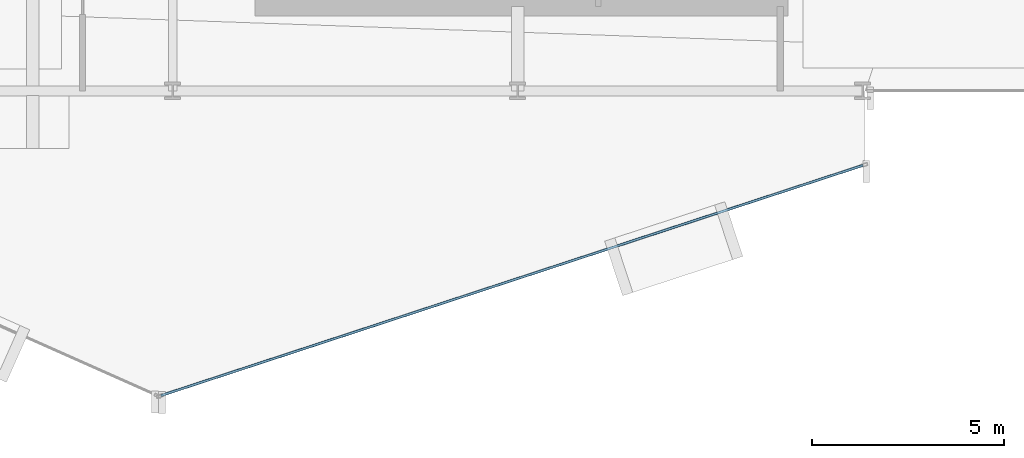
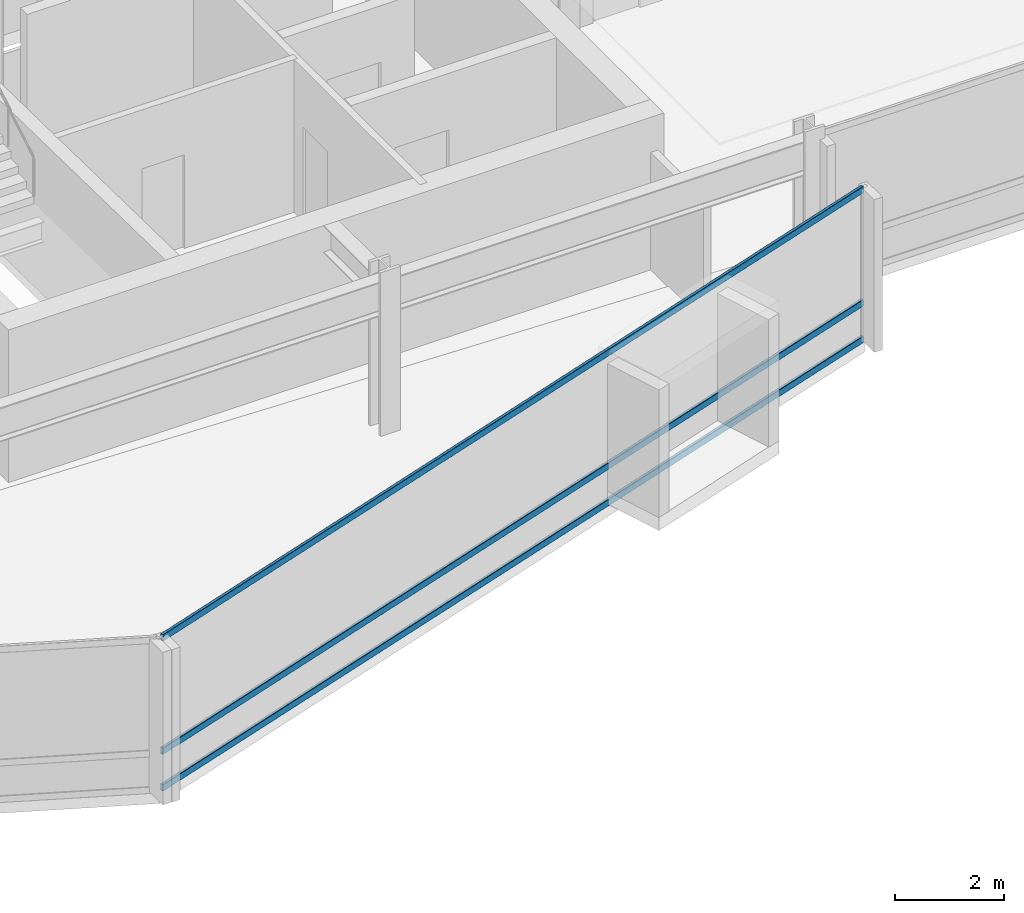
# One storey, part 9 of 28: 3 members, 1 element without a shape of its own.
"""IFC4 building model written with IfcOpenShell, lengths in metres."""

from ifc_helpers import new_model, si_unit, direction, frame, origin, origin_2d, place, context, subcontext, project, spatial, hollow_rectangle, extrude, material, layer, layer_set, material_profile, profile_set, type_object, element, aggregate, save


model = new_model("IFC4")

# Units and contexts
model_context = context("Model", 3, precision=1e-05, world=origin(), true_north=direction((0.0, 1.0)))
body_context = subcontext(model_context, "Body", "Model", "MODEL_VIEW")
ifc_project = project(units=[si_unit("LENGTHUNIT", "METRE"), si_unit("AREAUNIT", "SQUARE_METRE"), si_unit("VOLUMEUNIT", "CUBIC_METRE"), si_unit("PLANEANGLEUNIT", "RADIAN"), si_unit("MASSUNIT", "GRAM", prefix="KILO")], contexts=[model_context])

# Site, building, storey
site_placement = place(None, origin())
site = spatial("IfcSite", under=ifc_project, at=site_placement, CompositionType="ELEMENT")
building_placement = place(site_placement, origin())
building = spatial("IfcBuilding", under=site, at=building_placement, Name="Solvaryn Broadcast Tower", CompositionType="ELEMENT")
storey_placement = place(building_placement, frame((0.0, 0.0, 135.89990234375)))
storey = spatial("IfcBuildingStorey", under=building, at=storey_placement, Name="L33", CompositionType="ELEMENT", Elevation=135.89990234375)

# Curtain wall, members
ifc_material_1 = material(Name="Aluminium and Terracotta Unitised Curtain Wall", Category="masonry")
ifc_layer = layer(ifc_material_1, 0.199951171875)
ifc_layer_set = layer_set([ifc_layer], Name="CW-SYS2-LOWMID")
curtain_wall_type = type_object("IfcCurtainWallType", Name="CW-SYS2-LOWMID", PredefinedType="NOTDEFINED", material=ifc_layer_set)
curtain_wall_placement = place(storey_placement, origin())
curtain_wall = element("IfcCurtainWall", 1, at=curtain_wall_placement, inside=storey, type_object=curtain_wall_type, Name="L33 Curtain Wall DR4", PredefinedType="NOTDEFINED")
ifc_material_2 = material(Name="Anodised Aluminium 6063-T6", Category="aluminium")
ifc_material_profile = material_profile(ifc_material_2, hollow_rectangle(XDim=0.06494140625, YDim=0.14990234375, WallThickness=0.00390625, InnerFilletRadius=0.00390625, OuterFilletRadius=0.008056640625, at=origin_2d()))
ifc_profile_set = profile_set([ifc_material_profile], Name="Anodised Aluminium 6063-T6")
member_type = type_object("IfcMemberType", Name="CW-TRN-150", PredefinedType="USERDEFINED", material=ifc_profile_set)
member_1_placement = place(storey_placement, frame((26.693115234375, 1.052734375, 0.030029296875), z_axis=(0.950198373323, 0.31164571445, 0.0), x_axis=(-0.31164571445, 0.950198373323, 0.0)))
member_1 = element("IfcMember", 2, at=member_1_placement, type_object=member_type, Name="CWS2 transom 1.1", ObjectType="TRANSOM", PredefinedType="USERDEFINED", context=body_context, shape_type="SweptSolid", body=[
    extrude(hollow_rectangle(XDim=0.06494140625, YDim=0.14990234375, WallThickness=0.00390625, InnerFilletRadius=0.00390625, OuterFilletRadius=0.008056640625, at=origin_2d()), origin(), (0.0, 0.0, 1.0), 19.27685546875),
])
member_2_placement = place(storey_placement, frame((26.693115234375, 1.052734375, 0.85009765625), z_axis=(0.950198373323, 0.31164571445, 0.0), x_axis=(-0.31164571445, 0.950198373323, 0.0)))
member_2 = element("IfcMember", 3, at=member_2_placement, type_object=member_type, Name="CWS2 transom 1.2", ObjectType="TRANSOM", PredefinedType="USERDEFINED", context=body_context, shape_type="SweptSolid", body=[
    extrude(hollow_rectangle(XDim=0.06494140625, YDim=0.14990234375, WallThickness=0.00390625, InnerFilletRadius=0.00390625, OuterFilletRadius=0.008056640625, at=origin_2d()), origin(), (0.0, 0.0, 1.0), 19.27685546875),
])
member_3_placement = place(storey_placement, frame((26.693115234375, 1.052734375, 3.39013671875), z_axis=(0.950198373323, 0.31164571445, 0.0), x_axis=(-0.31164571445, 0.950198373323, 0.0)))
member_3 = element("IfcMember", 4, at=member_3_placement, type_object=member_type, Name="CWS2 transom 1.3", ObjectType="TRANSOM", PredefinedType="USERDEFINED", context=body_context, shape_type="SweptSolid", body=[
    extrude(hollow_rectangle(XDim=0.06494140625, YDim=0.14990234375, WallThickness=0.00390625, InnerFilletRadius=0.00390625, OuterFilletRadius=0.008056640625, at=origin_2d()), origin(), (0.0, 0.0, 1.0), 19.27685546875),
])
aggregate(curtain_wall, [member_1, member_2, member_3])

save(model, "model.ifc")
